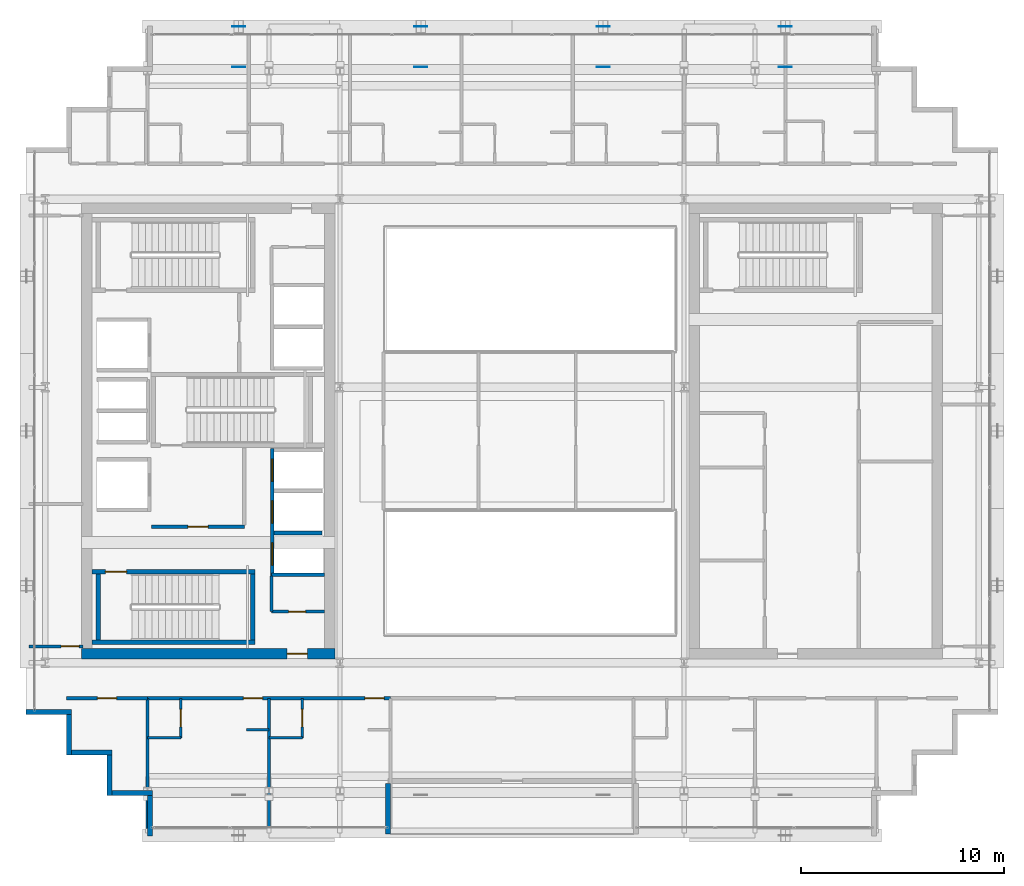
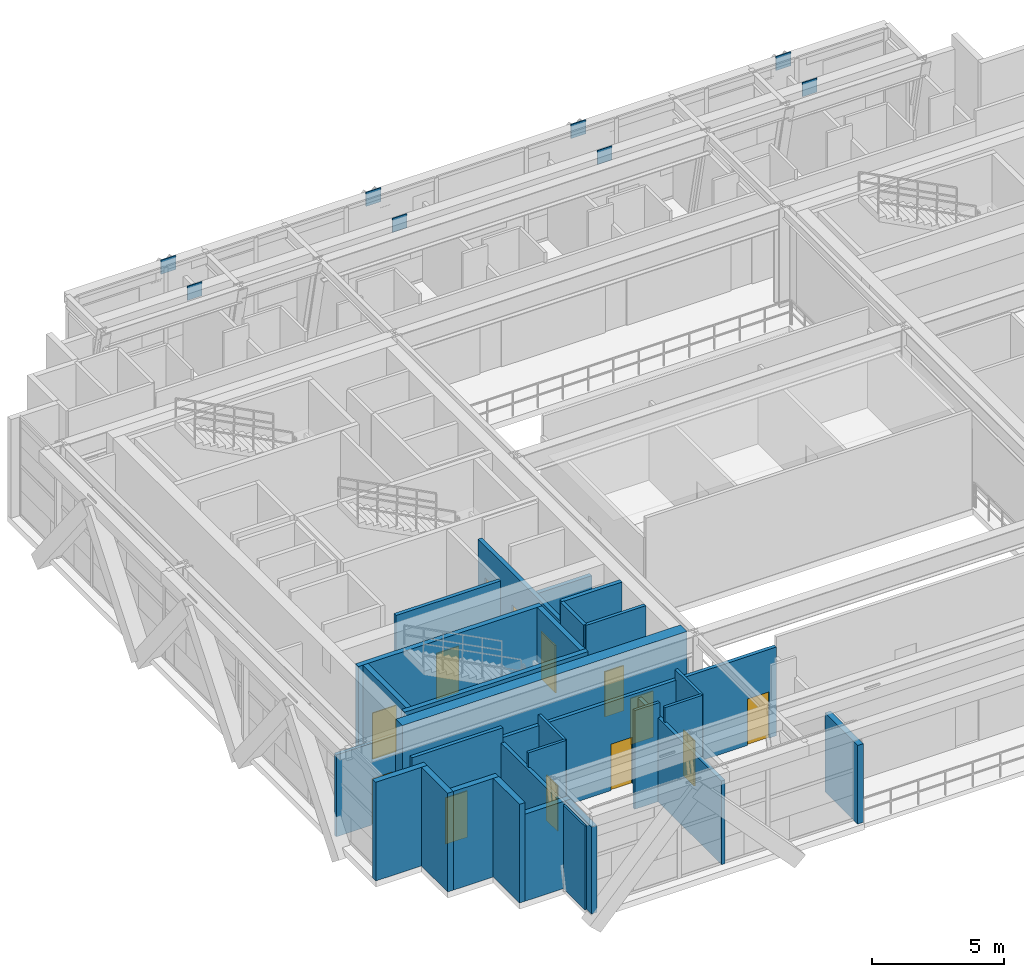
# One storey, part 23 of 31: 28 walls, 13 doors, 8 plates, 13 openings.
"""IFC4 building model written with IfcOpenShell, lengths in metres."""

from ifc_helpers import new_model, si_unit, direction, frame, frame_2d, origin, origin_2d, place, context, subcontext, project, spatial, rectangle, extrude, source, transform, mapped, material, layer, layer_set, type_object, element, fill, save


model = new_model("IFC4")

# Units and contexts
model_context = context("Model", 3, precision=1e-05, world=origin(), true_north=direction((0.0, 1.0)))
body_context = subcontext(model_context, "Body", "Model", "MODEL_VIEW")
ifc_project = project(units=[si_unit("LENGTHUNIT", "METRE"), si_unit("AREAUNIT", "SQUARE_METRE"), si_unit("VOLUMEUNIT", "CUBIC_METRE"), si_unit("PLANEANGLEUNIT", "RADIAN"), si_unit("MASSUNIT", "GRAM", prefix="KILO")], contexts=[model_context])

# Site, building, storey
site_placement = place(None, origin())
site = spatial("IfcSite", under=ifc_project, at=site_placement, CompositionType="ELEMENT")
building_placement = place(site_placement, origin())
building = spatial("IfcBuilding", under=site, at=building_placement, Name="Ocotamira Hotel", CompositionType="ELEMENT")
storey_placement = place(building_placement, frame((0.0, 0.0, 228.0)))
storey = spatial("IfcBuildingStorey", under=building, at=storey_placement, Name="L57", CompositionType="ELEMENT", Elevation=228.0)

# Plates
ifc_material_1 = material(Name="Pale-metal coated steel ASTM A572 Grade 50", Category="steel")
ifc_layer_1 = layer(ifc_material_1, 0.0400390625)
ifc_layer_set_1 = layer_set([ifc_layer_1], Name="Pale-metal coated steel ASTM A572 Grade 50")
plate_type = type_object("IfcPlateType", Name="PLT-GUSSET-40", PredefinedType="SHEET", material=ifc_layer_set_1)
shared_shape_1 = source(origin(), body_context, "Body", "SweptSolid", [
    extrude(rectangle(XDim=0.64990234375, YDim=0.0400390625, at=origin_2d()), origin(), (0.0, 0.0, 1.0), 0.64990234375),
])
for number, where, z_axis, x_axis, name in (
    (1, (18.5, 45.969970703125, 4.005126953125), (0.0, 0.0, 1.0), (1.0, 0.0, 0.0), "L57 Exoskeleton Diagrid N0.1 End Gusset B"),
    (2, (27.5, 45.969970703125, 4.005126953125), (0.0, 0.0, 1.0), (1.0, 0.0, 0.0), "L57 Exoskeleton Diagrid N1.1 End Gusset B"),
    (3, (36.5, 45.969970703125, 4.005126953125), (0.0, 0.0, 1.0), (1.0, 0.0, 0.0), "L57 Exoskeleton Diagrid N2.1 End Gusset B"),
    (4, (45.5, 45.969970703125, 4.005126953125), (0.0, 0.0, 1.0), (1.0, 0.0, 0.0), "L57 Exoskeleton Diagrid N3.1 End Gusset B"),
    (5, (18.5, 43.969970703125, 4.005126953125), (0.0, 0.0, 1.0), (-1.0, 0.0, 0.0), "L57 Exoskeleton Diagrid N0.1 End Gusset A"),
    (6, (27.5, 43.969970703125, 4.005126953125), (0.0, 0.0, 1.0), (-1.0, 0.0, 0.0), "L57 Exoskeleton Diagrid N1.1 End Gusset A"),
    (7, (36.5, 43.969970703125, 4.005126953125), (0.0, 0.0, 1.0), (-1.0, 0.0, 0.0), "L57 Exoskeleton Diagrid N2.1 End Gusset A"),
    (8, (45.5, 43.969970703125, 4.005126953125), (0.0, 0.0, 1.0), (-1.0, 0.0, 0.0), "L57 Exoskeleton Diagrid N3.1 End Gusset A"),
):
    element("IfcPlate", number, at=place(storey_placement, frame(where, z_axis=z_axis, x_axis=x_axis)), inside=storey, type_object=plate_type, Name=name, PredefinedType="SHEET", context=body_context, shape_type="MappedRepresentation", body=[
        mapped(shared_shape_1, transform((0.0, 0.0, 0.0), scale=1.0)),
    ])

# Wall, opening, door
ifc_material_2 = material(Name="Concrete C50/60", Category="concrete")
ifc_layer_2 = layer(ifc_material_2, 0.5)
ifc_layer_set_2 = layer_set([ifc_layer_2], Name="Concrete C50/60")
wall_type_1 = type_object("IfcWallType", Name="WL-CORE-500", PredefinedType="SHEAR", material=ifc_layer_set_2)
wall_1_placement = place(storey_placement, frame((10.75, 15.0, 0.0), z_axis=(0.0, 0.0, 1.0), x_axis=(1.0, 0.0, 0.0)))
wall_1 = element("IfcWall", 9, at=wall_1_placement, inside=storey, type_object=wall_type_1, Name="L57 Shear Core Wall WCORE-S", PredefinedType="SHEAR", context=body_context, shape_type="SweptSolid", body=[
    extrude(rectangle(XDim=12.5, YDim=0.5, at=frame_2d((6.25, 0.0))), origin(), (0.0, 0.0, 1.0), 4.580078125),
])
opening_1_placement = place(wall_1_placement, frame((10.14990234375, 0.0, 0.0)))
opening_1 = element("IfcOpeningElement", 10, at=opening_1_placement, cuts=wall_1, Name="Opening D-FR2", PredefinedType="OPENING", context=body_context, shape_type="SweptSolid", body=[
    extrude(rectangle(XDim=1.0, YDim=2.14990234375, at=frame_2d((0.5, 1.074951171875))), frame((0.0, 0.260009765625, 0.0), z_axis=(0.0, -1.0, 0.0), x_axis=(1.0, 0.0, 0.0)), (0.0, 0.0, 1.0), 0.52001953125),
])
ifc_material_3 = material(Name="Fire-rated acoustic timber-veneer door", Category="wood")
door_type_1 = type_object("IfcDoorType", Name="DR-FIRE-1000", OperationType="NOTDEFINED", PredefinedType="DOOR", material=ifc_material_3)
shared_shape_2 = source(origin(), body_context, "Body", "SweptSolid", [
    extrude(rectangle(XDim=1.0, YDim=2.14990234375, at=frame_2d((0.5, 1.074951171875))), frame((0.0, 0.02490234375, 0.0), z_axis=(0.0, -1.0, 0.0), x_axis=(1.0, 0.0, 0.0)), (0.0, 0.0, 1.0), 0.050048828125),
])
door_1_placement = place(opening_1_placement, origin())
door_1 = element("IfcDoor", 11, at=door_1_placement, inside=storey, type_object=door_type_1, Name="L57 Door ID-L57-WLOB-S-D [ID-L57-WLOB-S-D]", OperationType="SINGLE_SWING_LEFT", OverallHeight=2.14990234375, OverallWidth=1.0, PredefinedType="DOOR", context=body_context, shape_type="MappedRepresentation", body=[
    mapped(shared_shape_2, transform((0.0, 0.0, 0.0), scale=1.0)),
])
fill(opening_1, door_1)

# Walls
ifc_material_4 = material(Name="Precast concrete C45/55", Category="concrete")
ifc_layer_3 = layer(ifc_material_4, 0.25)
ifc_layer_set_3 = layer_set([ifc_layer_3], Name="Precast concrete C45/55")
wall_type_2 = type_object("IfcWallType", Name="WL-EXT-SER-250", PredefinedType="SOLIDWALL", material=ifc_layer_set_3)
wall_2_placement = place(storey_placement, frame((8.0, 12.125, 0.0), z_axis=(0.0, 0.0, 1.0), x_axis=(1.0, 0.0, 0.0)))
element("IfcWall", 12, at=wall_2_placement, inside=storey, type_object=wall_type_2, Name="L57 Serrated Corner Wall 19", PredefinedType="SOLIDWALL", context=body_context, shape_type="SweptSolid", body=[
    extrude(rectangle(XDim=2.25, YDim=0.25, at=frame_2d((1.125, 0.0))), origin(), (0.0, 0.0, 1.0), 4.580078125),
])
for number, where, z_axis, x_axis, name in (
    (13, (10.125, 12.0, 0.0), (0.0, 0.0, 1.0), (0.0, -1.0, 0.0), "L57 Serrated Corner Wall 20"),
    (14, (10.25, 10.125, 0.0), (0.0, 0.0, 1.0), (1.0, 0.0, 0.0), "L57 Serrated Corner Wall 21"),
    (15, (12.125, 10.0, 0.0), (0.0, 0.0, 1.0), (0.0, -1.0, 0.0), "L57 Serrated Corner Wall 22"),
):
    element("IfcWall", number, at=place(storey_placement, frame(where, z_axis=z_axis, x_axis=x_axis)), inside=storey, type_object=wall_type_2, Name=name, PredefinedType="SOLIDWALL", context=body_context, shape_type="SweptSolid", body=[
        extrude(rectangle(XDim=2.0, YDim=0.25, at=frame_2d((1.0, 0.0))), origin(), (0.0, 0.0, 1.0), 4.580078125),
    ])
for number, where, z_axis, x_axis, name in (
    (16, (12.25, 8.125, 0.0), (0.0, 0.0, 1.0), (1.0, 0.0, 0.0), "L57 Serrated Corner Wall 23"),
    (17, (14.125, 8.0, 0.0), (0.0, 0.0, 1.0), (0.0, -1.0, 0.0), "L57 Serrated Corner Wall 24"),
):
    element("IfcWall", number, at=place(storey_placement, frame(where, z_axis=z_axis, x_axis=x_axis)), inside=storey, type_object=wall_type_2, Name=name, PredefinedType="SOLIDWALL", context=body_context, shape_type="SweptSolid", body=[
        extrude(rectangle(XDim=2.0, YDim=0.25, at=frame_2d((1.0, 0.0))), origin(), (0.0, 0.0, 1.0), 4.04296875),
    ])
wall_3_placement = place(storey_placement, frame((25.875, 6.10009765625, 0.0), z_axis=(0.0, 0.0, 1.0), x_axis=(0.0, 1.0, 0.0)))
element("IfcWall", 18, at=wall_3_placement, inside=storey, type_object=wall_type_2, Name="L57 Sky Terrace Return Wall 1L", PredefinedType="SOLIDWALL", context=body_context, shape_type="SweptSolid", body=[
    extrude(rectangle(XDim=2.5, YDim=0.25, at=frame_2d((1.25, 0.0))), origin(), (0.0, 0.0, 1.0), 3.653076171875),
])

# Wall, opening, door
ifc_material_5 = material(Name="Acoustic double-layer fire gypsum board partition", Category="gypsum")
ifc_layer_4 = layer(ifc_material_5, 0.159912109375)
ifc_layer_set_4 = layer_set([ifc_layer_4], Name="Acoustic double-layer fire gypsum board partition")
wall_type_3 = type_object("IfcWallType", Name="WL-FIRE-160", PredefinedType="PARTITIONING", material=ifc_layer_set_4)
wall_4_placement = place(storey_placement, frame((14.199951171875, 21.27001953125, 0.0), z_axis=(0.0, 0.0, 1.0), x_axis=(1.0, 0.0, 0.0)))
wall_4 = element("IfcWall", 19, at=wall_4_placement, inside=storey, type_object=wall_type_3, Name="L57 Interior Wall PW-L57-FSAE1-S", PredefinedType="PARTITIONING", context=body_context, shape_type="SweptSolid", body=[
    extrude(rectangle(XDim=4.580078125, YDim=0.159912109375, at=frame_2d((2.2900390625, 0.0))), origin(), (0.0, 0.0, 1.0), 4.580078125),
])
opening_2_placement = place(wall_4_placement, frame((1.800048828125, 0.0, 0.0)))
opening_2 = element("IfcOpeningElement", 20, at=opening_2_placement, cuts=wall_4, Name="Opening D-FR2", PredefinedType="OPENING", context=body_context, shape_type="SweptSolid", body=[
    extrude(rectangle(XDim=1.0, YDim=2.14990234375, at=frame_2d((0.5, 1.074951171875))), frame((0.0, 0.08984375, 0.0), z_axis=(0.0, -1.0, 0.0), x_axis=(1.0, 0.0, 0.0)), (0.0, 0.0, 1.0), 0.179931640625),
])
door_2_placement = place(opening_2_placement, origin())
door_2 = element("IfcDoor", 21, at=door_2_placement, inside=storey, type_object=door_type_1, Name="L57 Door ID-L57-FSAE1-D [ID-L57-FSAE1-D]", OperationType="SINGLE_SWING_LEFT", OverallHeight=2.14990234375, OverallWidth=1.0, PredefinedType="DOOR", context=body_context, shape_type="MappedRepresentation", body=[
    mapped(shared_shape_2, transform((0.0, 0.0, 0.0), scale=1.0)),
])
fill(opening_2, door_2)

# Wall, openings, doors
wall_5_placement = place(storey_placement, frame((14.0, 12.800048828125, 0.0), z_axis=(0.0, 0.0, 1.0), x_axis=(1.0, 0.0, 0.0)))
wall_5 = element("IfcWall", 22, at=wall_5_placement, inside=storey, type_object=wall_type_3, Name="L57 Interior Wall PW-L57-L57SW-CORRW", PredefinedType="PARTITIONING", context=body_context, shape_type="SweptSolid", body=[
    extrude(rectangle(XDim=12.0, YDim=0.159912109375, at=frame_2d((6.0, 0.0))), origin(), (0.0, 0.0, 1.0), 4.123046875),
])
opening_3_placement = place(wall_5_placement, frame((4.739990234375, 0.0, 0.0)))
opening_3 = element("IfcOpeningElement", 23, at=opening_3_placement, cuts=wall_5, Name="Opening D-GR1", PredefinedType="OPENING", context=body_context, shape_type="SweptSolid", body=[
    extrude(rectangle(XDim=0.93994140625, YDim=2.14990234375, at=frame_2d((0.469970703125, 1.074951171875))), frame((0.0, 0.08984375, 0.0), z_axis=(0.0, -1.0, 0.0), x_axis=(1.0, 0.0, 0.0)), (0.0, 0.0, 1.0), 0.179931640625),
])
opening_4_placement = place(wall_5_placement, frame((10.739990234375, 0.0, 0.0)))
opening_4 = element("IfcOpeningElement", 24, at=opening_4_placement, cuts=wall_5, Name="Opening D-GR1", PredefinedType="OPENING", context=body_context, shape_type="SweptSolid", body=[
    extrude(rectangle(XDim=0.93994140625, YDim=2.14990234375, at=frame_2d((0.469970703125, 1.074951171875))), frame((0.0, 0.08984375, 0.0), z_axis=(0.0, -1.0, 0.0), x_axis=(1.0, 0.0, 0.0)), (0.0, 0.0, 1.0), 0.179931640625),
])
ifc_material_6 = material(Name="Solid-core walnut suite entrance fire door", Category="wood")
door_type_2 = type_object("IfcDoorType", Name="DR-GUEST-940", OperationType="NOTDEFINED", PredefinedType="DOOR", material=ifc_material_6)
shared_shape_3 = source(origin(), body_context, "Body", "SweptSolid", [
    extrude(rectangle(XDim=0.93994140625, YDim=2.14990234375, at=frame_2d((0.469970703125, 1.074951171875))), frame((0.0, 0.02490234375, 0.0), z_axis=(0.0, -1.0, 0.0), x_axis=(1.0, 0.0, 0.0)), (0.0, 0.0, 1.0), 0.050048828125),
])
door_3_placement = place(opening_3_placement, origin())
door_3 = element("IfcDoor", 25, at=door_3_placement, inside=storey, type_object=door_type_2, Name="L57 Door ID-L57-L57SW-RMD1 [ID-L57-L57SW-RMD1]", OperationType="SINGLE_SWING_LEFT", OverallHeight=2.14990234375, OverallWidth=0.93994140625, PredefinedType="DOOR", context=body_context, shape_type="MappedRepresentation", body=[
    mapped(shared_shape_3, transform((0.0, 0.0, 0.0), scale=1.0)),
])
fill(opening_3, door_3)
door_4_placement = place(opening_4_placement, origin())
door_4 = element("IfcDoor", 26, at=door_4_placement, inside=storey, type_object=door_type_2, Name="L57 Door ID-L57-L57SW-RMD2 [ID-L57-L57SW-RMD2]", OperationType="SINGLE_SWING_RIGHT", OverallHeight=2.14990234375, OverallWidth=0.93994140625, PredefinedType="DOOR", context=body_context, shape_type="MappedRepresentation", body=[
    mapped(shared_shape_3, transform((0.0, 0.0, 0.0), scale=1.0)),
])
fill(opening_4, door_4)

# Wall, opening, door
wall_6_placement = place(storey_placement, frame((10.0, 12.800048828125, 0.0), z_axis=(0.0, 0.0, 1.0), x_axis=(1.0, 0.0, 0.0)))
wall_6 = element("IfcWall", 27, at=wall_6_placement, inside=storey, type_object=wall_type_3, Name="L57 Interior Wall PW-L57-L57-CSW-CW", PredefinedType="PARTITIONING", context=body_context, shape_type="SweptSolid", body=[
    extrude(rectangle(XDim=4.0, YDim=0.159912109375, at=frame_2d((2.0, 0.0))), origin(), (0.0, 0.0, 1.0), 4.580078125),
])
opening_5_placement = place(wall_6_placement, frame((1.52001953125, 0.0, 0.0)))
opening_5 = element("IfcOpeningElement", 28, at=opening_5_placement, cuts=wall_6, Name="Opening D-SV4", PredefinedType="OPENING", context=body_context, shape_type="SweptSolid", body=[
    extrude(rectangle(XDim=0.9599609375, YDim=2.14990234375, at=frame_2d((0.47998046875, 1.074951171875))), frame((0.0, 0.08984375, 0.0), z_axis=(0.0, -1.0, 0.0), x_axis=(1.0, 0.0, 0.0)), (0.0, 0.0, 1.0), 0.179931640625),
])
ifc_material_7 = material(Name="Fire-rated accessible walnut salon door", Category="wood")
door_type_3 = type_object("IfcDoorType", Name="DR-SERV-960", OperationType="NOTDEFINED", PredefinedType="DOOR", material=ifc_material_7)
shared_shape_4 = source(origin(), body_context, "Body", "SweptSolid", [
    extrude(rectangle(XDim=0.9599609375, YDim=2.14990234375, at=frame_2d((0.47998046875, 1.074951171875))), frame((0.0, 0.02490234375, 0.0), z_axis=(0.0, -1.0, 0.0), x_axis=(1.0, 0.0, 0.0)), (0.0, 0.0, 1.0), 0.050048828125),
])
door_5_placement = place(opening_5_placement, origin())
door_5 = element("IfcDoor", 29, at=door_5_placement, inside=storey, type_object=door_type_3, Name="L57 Door ID-L57-L57-CSW-CD [ID-L57-L57-CSW-CD]", OperationType="SINGLE_SWING_LEFT", OverallHeight=2.14990234375, OverallWidth=0.9599609375, PredefinedType="DOOR", context=body_context, shape_type="MappedRepresentation", body=[
    mapped(shared_shape_4, transform((0.0, 0.0, 0.0), scale=1.0)),
])
fill(opening_5, door_5)

ifc_material_8 = material(Name="Moisture-resistant en-suite tile and gypsum partition", Category="gypsum")
ifc_layer_5 = layer(ifc_material_8, 0.1201171875)
ifc_layer_set_5 = layer_set([ifc_layer_5], Name="Moisture-resistant en-suite tile and gypsum partition")
wall_type_4 = type_object("IfcWallType", Name="WL-PART-120", PredefinedType="PARTITIONING", material=ifc_layer_set_5)
wall_7_placement = place(storey_placement, frame((15.64990234375, 10.85009765625, 0.0), z_axis=(0.0, 0.0, 1.0), x_axis=(0.0, 1.0, 0.0)))
wall_7 = element("IfcWall", 30, at=wall_7_placement, inside=storey, type_object=wall_type_4, Name="L57 Interior Wall PW-L57-L57SW-BAE1", PredefinedType="PARTITIONING", context=body_context, shape_type="SweptSolid", body=[
    extrude(rectangle(XDim=1.949951171875, YDim=0.1201171875, at=frame_2d((0.97509765625, 0.0))), origin(), (0.0, 0.0, 1.0), 4.580078125),
])
opening_6_placement = place(wall_7_placement, frame((0.544921875, 0.0, 0.0)))
opening_6 = element("IfcOpeningElement", 31, at=opening_6_placement, cuts=wall_7, Name="Opening D-BA1", PredefinedType="OPENING", context=body_context, shape_type="SweptSolid", body=[
    extrude(rectangle(XDim=0.860107421875, YDim=2.10009765625, at=frame_2d((0.43017578125, 1.050048828125))), frame((0.0, 0.070068359375, 0.0), z_axis=(0.0, -1.0, 0.0), x_axis=(1.0, 0.0, 0.0)), (0.0, 0.0, 1.0), 0.14013671875),
])
ifc_material_9 = material(Name="Moisture-sealed en-suite timber door", Category="wood")
door_type_4 = type_object("IfcDoorType", Name="DR-BATH-860", OperationType="NOTDEFINED", PredefinedType="DOOR", material=ifc_material_9)
shared_shape_5 = source(origin(), body_context, "Body", "SweptSolid", [
    extrude(rectangle(XDim=0.860107421875, YDim=2.10009765625, at=frame_2d((0.43017578125, 1.050048828125))), frame((0.0, 0.02490234375, 0.0), z_axis=(0.0, -1.0, 0.0), x_axis=(1.0, 0.0, 0.0)), (0.0, 0.0, 1.0), 0.050048828125),
])
door_6_placement = place(opening_6_placement, origin())
door_6 = element("IfcDoor", 32, at=door_6_placement, inside=storey, type_object=door_type_4, Name="L57 Door ID-L57-L57SW-BAD1 [ID-L57-L57SW-BAD1]", OperationType="SINGLE_SWING_RIGHT", OverallHeight=2.10009765625, OverallWidth=0.860107421875, PredefinedType="DOOR", context=body_context, shape_type="MappedRepresentation", body=[
    mapped(shared_shape_5, transform((0.0, 0.0, 0.0), scale=1.0)),
])
fill(opening_6, door_6)

# Walls
wall_8_placement = place(storey_placement, frame((14.0, 10.85009765625, 0.0), z_axis=(0.0, 0.0, 1.0), x_axis=(1.0, 0.0, 0.0)))
element("IfcWall", 33, at=wall_8_placement, inside=storey, type_object=wall_type_4, Name="L57 Interior Wall PW-L57-L57SW-BAS1", PredefinedType="PARTITIONING", context=body_context, shape_type="SweptSolid", body=[
    extrude(rectangle(XDim=1.64990234375, YDim=0.1201171875, at=frame_2d((0.824951171875, 0.0))), origin(), (0.0, 0.0, 1.0), 4.580078125),
])
wall_9_placement = place(storey_placement, frame((18.89990234375, 11.25, 0.0), z_axis=(0.0, 0.0, 1.0), x_axis=(1.0, 0.0, 0.0)))
element("IfcWall", 34, at=wall_9_placement, inside=storey, type_object=wall_type_4, Name="L57 Interior Wall PW-L57-L57SW-DRN1", PredefinedType="PARTITIONING", context=body_context, shape_type="SweptSolid", body=[
    extrude(rectangle(XDim=1.10009765625, YDim=0.1201171875, at=frame_2d((0.550048828125, 0.0))), origin(), (0.0, 0.0, 1.0), 4.580078125),
])

# Wall, opening, door
wall_10_placement = place(storey_placement, frame((21.64990234375, 10.85009765625, 0.0), z_axis=(0.0, 0.0, 1.0), x_axis=(0.0, 1.0, 0.0)))
wall_10 = element("IfcWall", 35, at=wall_10_placement, inside=storey, type_object=wall_type_4, Name="L57 Interior Wall PW-L57-L57SW-BAE2", PredefinedType="PARTITIONING", context=body_context, shape_type="SweptSolid", body=[
    extrude(rectangle(XDim=1.949951171875, YDim=0.1201171875, at=frame_2d((0.97509765625, 0.0))), origin(), (0.0, 0.0, 1.0), 4.580078125),
])
opening_7_placement = place(wall_10_placement, frame((0.544921875, 0.0, 0.0)))
opening_7 = element("IfcOpeningElement", 36, at=opening_7_placement, cuts=wall_10, Name="Opening D-BA1", PredefinedType="OPENING", context=body_context, shape_type="SweptSolid", body=[
    extrude(rectangle(XDim=0.860107421875, YDim=2.10009765625, at=frame_2d((0.43017578125, 1.050048828125))), frame((0.0, 0.070068359375, 0.0), z_axis=(0.0, -1.0, 0.0), x_axis=(1.0, 0.0, 0.0)), (0.0, 0.0, 1.0), 0.14013671875),
])
door_7_placement = place(opening_7_placement, origin())
door_7 = element("IfcDoor", 37, at=door_7_placement, inside=storey, type_object=door_type_4, Name="L57 Door ID-L57-L57SW-BAD2 [ID-L57-L57SW-BAD2]", OperationType="SINGLE_SWING_LEFT", OverallHeight=2.10009765625, OverallWidth=0.860107421875, PredefinedType="DOOR", context=body_context, shape_type="MappedRepresentation", body=[
    mapped(shared_shape_5, transform((0.0, 0.0, 0.0), scale=1.0)),
])
fill(opening_7, door_7)

# Walls
wall_11_placement = place(storey_placement, frame((20.0, 10.85009765625, 0.0), z_axis=(0.0, 0.0, 1.0), x_axis=(1.0, 0.0, 0.0)))
element("IfcWall", 38, at=wall_11_placement, inside=storey, type_object=wall_type_4, Name="L57 Interior Wall PW-L57-L57SW-BAS2", PredefinedType="PARTITIONING", context=body_context, shape_type="SweptSolid", body=[
    extrude(rectangle(XDim=1.64990234375, YDim=0.1201171875, at=frame_2d((0.824951171875, 0.0))), origin(), (0.0, 0.0, 1.0), 4.580078125),
])
ifc_material_10 = material(Name="Acoustic hospitality gypsum board partition", Category="gypsum")
ifc_layer_6 = layer(ifc_material_10, 0.14208984375)
ifc_layer_set_6 = layer_set([ifc_layer_6], Name="Acoustic hospitality gypsum board partition")
wall_type_5 = type_object("IfcWallType", Name="WL-PART-142", PredefinedType="PARTITIONING", material=ifc_layer_set_6)
wall_12_placement = place(storey_placement, frame((20.1201171875, 17.080078125, 0.0), z_axis=(0.0, 0.0, 1.0), x_axis=(0.0, 1.0, 0.0)))
element("IfcWall", 39, at=wall_12_placement, inside=storey, type_object=wall_type_5, Name="L57 Interior Wall PW-L57-WC-SE-W2", PredefinedType="PARTITIONING", context=body_context, shape_type="SweptSolid", body=[
    extrude(rectangle(XDim=1.760009765625, YDim=0.14208984375, at=frame_2d((0.8798828125, 0.0))), origin(), (0.0, 0.0, 1.0), 4.580078125),
])

# Wall, opening, door
wall_13_placement = place(storey_placement, frame((20.1201171875, 17.080078125, 0.0), z_axis=(0.0, 0.0, 1.0), x_axis=(1.0, 0.0, 0.0)))
wall_13 = element("IfcWall", 40, at=wall_13_placement, inside=storey, type_object=wall_type_5, Name="L57 Interior Wall PW-L57-WC-SE-S2", PredefinedType="PARTITIONING", context=body_context, shape_type="SweptSolid", body=[
    extrude(rectangle(XDim=2.6298828125, YDim=0.14208984375, at=frame_2d((1.31494140625, 0.0))), origin(), (0.0, 0.0, 1.0), 4.580078125),
])
opening_8_placement = place(wall_13_placement, frame((0.85009765625, 0.0, 0.0)))
opening_8 = element("IfcOpeningElement", 41, at=opening_8_placement, cuts=wall_13, Name="Opening D-SV1", PredefinedType="OPENING", context=body_context, shape_type="SweptSolid", body=[
    extrude(rectangle(XDim=0.840087890625, YDim=2.10009765625, at=frame_2d((0.419921875, 1.050048828125))), frame((0.0, 0.0810546875, 0.0), z_axis=(0.0, -1.0, 0.0), x_axis=(1.0, 0.0, 0.0)), (0.0, 0.0, 1.0), 0.162109375),
])
ifc_material_11 = material(Name="Fire-rated painted steel service door", Category="steel")
door_type_5 = type_object("IfcDoorType", Name="DR-SERV-840", OperationType="NOTDEFINED", PredefinedType="DOOR", material=ifc_material_11)
shared_shape_6 = source(origin(), body_context, "Body", "SweptSolid", [
    extrude(rectangle(XDim=0.840087890625, YDim=2.10009765625, at=frame_2d((0.419921875, 1.050048828125))), frame((0.0, 0.02490234375, 0.0), z_axis=(0.0, -1.0, 0.0), x_axis=(1.0, 0.0, 0.0)), (0.0, 0.0, 1.0), 0.050048828125),
])
door_8_placement = place(opening_8_placement, origin())
door_8 = element("IfcDoor", 42, at=door_8_placement, inside=storey, type_object=door_type_5, Name="L57 Door ID-L57-WC-SE-D2 [ID-L57-WC-SE-D2]", OperationType="SINGLE_SWING_LEFT", OverallHeight=2.10009765625, OverallWidth=0.840087890625, PredefinedType="DOOR", context=body_context, shape_type="MappedRepresentation", body=[
    mapped(shared_shape_6, transform((0.0, 0.0, 0.0), scale=1.0)),
])
fill(opening_8, door_8)

ifc_layer_7 = layer(ifc_material_10, 0.14990234375)
ifc_layer_set_7 = layer_set([ifc_layer_7], Name="Acoustic hospitality gypsum board partition")
wall_type_6 = type_object("IfcWallType", Name="WL-PART-150", PredefinedType="PARTITIONING", material=ifc_layer_set_7)
wall_14_placement = place(storey_placement, frame((8.159912109375, 15.360107421875, 0.0), z_axis=(0.0, 0.0, 1.0), x_axis=(1.0, 0.0, 0.0)))
wall_14 = element("IfcWall", 43, at=wall_14_placement, inside=storey, type_object=wall_type_6, Name="L57 Interior Wall PW-L57-L57W-WS", PredefinedType="PARTITIONING", context=body_context, shape_type="SweptSolid", body=[
    extrude(rectangle(XDim=2.66015625, YDim=0.14990234375, at=frame_2d((1.330078125, 0.0))), origin(), (0.0, 0.0, 1.0), 3.801025390625),
])
opening_9_placement = place(wall_14_placement, frame((1.580078125, 0.0, 0.0)))
opening_9 = element("IfcOpeningElement", 44, at=opening_9_placement, cuts=wall_14, Name="Opening D-SV2", PredefinedType="OPENING", context=body_context, shape_type="SweptSolid", body=[
    extrude(rectangle(XDim=0.8798828125, YDim=2.14990234375, at=frame_2d((0.43994140625, 1.074951171875))), frame((0.0, 0.0849609375, 0.0), z_axis=(0.0, -1.0, 0.0), x_axis=(1.0, 0.0, 0.0)), (0.0, 0.0, 1.0), 0.169921875),
])
door_type_6 = type_object("IfcDoorType", Name="DR-SERV-880", OperationType="NOTDEFINED", PredefinedType="DOOR", material=ifc_material_11)
shared_shape_7 = source(origin(), body_context, "Body", "SweptSolid", [
    extrude(rectangle(XDim=0.8798828125, YDim=2.14990234375, at=frame_2d((0.43994140625, 1.074951171875))), frame((0.0, 0.02490234375, 0.0), z_axis=(0.0, -1.0, 0.0), x_axis=(1.0, 0.0, 0.0)), (0.0, 0.0, 1.0), 0.050048828125),
])
door_9_placement = place(opening_9_placement, origin())
door_9 = element("IfcDoor", 45, at=door_9_placement, inside=storey, type_object=door_type_6, Name="L57 Door ID-L57-L57W-DS [ID-L57-L57W-DS]", OperationType="SINGLE_SWING_LEFT", OverallHeight=2.14990234375, OverallWidth=0.8798828125, PredefinedType="DOOR", context=body_context, shape_type="MappedRepresentation", body=[
    mapped(shared_shape_7, transform((0.0, 0.0, 0.0), scale=1.0)),
])
fill(opening_9, door_9)

# Walls
ifc_material_12 = material(Name="Acoustic double-stud hospitality gypsum partition", Category="gypsum")
ifc_layer_8 = layer(ifc_material_12, 0.159912109375)
ifc_layer_set_8 = layer_set([ifc_layer_8], Name="Acoustic double-stud hospitality gypsum partition")
wall_type_7 = type_object("IfcWallType", Name="WL-PART-160", PredefinedType="PARTITIONING", material=ifc_layer_set_8)
for number, where, z_axis, x_axis, name in (
    (46, (14.0, 6.360107421875, 0.0), (0.0, 0.0, 1.0), (0.0, 1.0, 0.0), "L57 Interior Wall PW-L57-L57SW-PW0"),
    (47, (20.0, 6.360107421875, 0.0), (0.0, 0.0, 1.0), (0.0, 1.0, 0.0), "L57 Interior Wall PW-L57-L57SW-PW1"),
):
    element("IfcWall", number, at=place(storey_placement, frame(where, z_axis=z_axis, x_axis=x_axis)), inside=storey, type_object=wall_type_7, Name=name, PredefinedType="PARTITIONING", context=body_context, shape_type="SweptSolid", body=[
        extrude(rectangle(XDim=6.43994140625, YDim=0.159912109375, at=frame_2d((3.219970703125, 0.0))), origin(), (0.0, 0.0, 1.0), 3.886962890625),
    ])

# Wall, openings, doors
ifc_material_13 = material(Name="Fire-rated gypsum shaftliner board assembly", Category="gypsum")
ifc_layer_9 = layer(ifc_material_13, 0.179931640625)
ifc_layer_set_9 = layer_set([ifc_layer_9], Name="Fire-rated gypsum shaftliner board assembly")
wall_type_8 = type_object("IfcWallType", Name="WL-SHAFT-180", PredefinedType="SOLIDWALL", material=ifc_layer_set_9)
wall_15_placement = place(storey_placement, frame((20.159912109375, 18.820068359375, 0.0), z_axis=(0.0, 0.0, 1.0), x_axis=(0.0, 1.0, 0.0)))
wall_15 = element("IfcWall", 48, at=wall_15_placement, inside=storey, type_object=wall_type_8, Name="L57 Interior Wall PW-L57-LFW-BANK-high-F", PredefinedType="SOLIDWALL", context=body_context, shape_type="SweptSolid", body=[
    extrude(rectangle(XDim=6.31982421875, YDim=0.179931640625, at=frame_2d((3.159912109375, 0.0))), origin(), (0.0, 0.0, 1.0), 3.679931640625),
])
opening_10_placement = place(wall_15_placement, frame((0.554931640625, 0.0, 0.0)))
opening_10 = element("IfcOpeningElement", 49, at=opening_10_placement, cuts=wall_15, Name="Opening LD-LF-P7", PredefinedType="OPENING", context=body_context, shape_type="SweptSolid", body=[
    extrude(rectangle(XDim=1.10009765625, YDim=2.199951171875, at=frame_2d((0.550048828125, 1.10009765625))), frame((0.0, 0.10009765625, 0.0), z_axis=(0.0, -1.0, 0.0), x_axis=(1.0, 0.0, 0.0)), (0.0, 0.0, 1.0), 0.199951171875),
])
opening_11_placement = place(wall_15_placement, frame((2.635009765625, 0.0, 0.0)))
opening_11 = element("IfcOpeningElement", 50, at=opening_11_placement, cuts=wall_15, Name="Opening LD-LF-P8", PredefinedType="OPENING", context=body_context, shape_type="SweptSolid", body=[
    extrude(rectangle(XDim=1.10009765625, YDim=2.199951171875, at=frame_2d((0.550048828125, 1.10009765625))), frame((0.0, 0.10009765625, 0.0), z_axis=(0.0, -1.0, 0.0), x_axis=(1.0, 0.0, 0.0)), (0.0, 0.0, 1.0), 0.199951171875),
])
opening_12_placement = place(wall_15_placement, frame((4.68994140625, 0.0, 0.0)))
opening_12 = element("IfcOpeningElement", 51, at=opening_12_placement, cuts=wall_15, Name="Opening LD-LF-P9", PredefinedType="OPENING", context=body_context, shape_type="SweptSolid", body=[
    extrude(rectangle(XDim=1.10009765625, YDim=2.199951171875, at=frame_2d((0.550048828125, 1.10009765625))), frame((0.0, 0.10009765625, 0.0), z_axis=(0.0, -1.0, 0.0), x_axis=(1.0, 0.0, 0.0)), (0.0, 0.0, 1.0), 0.199951171875),
])
ifc_material_14 = material(Name="Brushed pale-metal stainless elevator landing door", Category="steel")
door_type_7 = type_object("IfcDoorType", Name="DR-LIFT-1100", OperationType="NOTDEFINED", PredefinedType="DOOR", material=ifc_material_14)
shared_shape_8 = source(origin(), body_context, "Body", "SweptSolid", [
    extrude(rectangle(XDim=1.10009765625, YDim=2.199951171875, at=frame_2d((0.550048828125, 1.10009765625))), frame((0.0, 0.02490234375, 0.0), z_axis=(0.0, -1.0, 0.0), x_axis=(1.0, 0.0, 0.0)), (0.0, 0.0, 1.0), 0.050048828125),
])
door_10_placement = place(opening_10_placement, origin())
door_10 = element("IfcDoor", 52, at=door_10_placement, inside=storey, type_object=door_type_7, Name="L57 Landing Door LD-LF-P7 [ID-L57-LD-LF-P7]", OperationType="DOUBLE_DOOR_SLIDING", OverallHeight=2.199951171875, OverallWidth=1.10009765625, PredefinedType="DOOR", context=body_context, shape_type="MappedRepresentation", body=[
    mapped(shared_shape_8, transform((0.0, 0.0, 0.0), scale=1.0)),
])
fill(opening_10, door_10)
door_11_placement = place(opening_11_placement, origin())
door_11 = element("IfcDoor", 53, at=door_11_placement, inside=storey, type_object=door_type_7, Name="L57 Landing Door LD-LF-P8 [ID-L57-LD-LF-P8]", OperationType="DOUBLE_DOOR_SLIDING", OverallHeight=2.199951171875, OverallWidth=1.10009765625, PredefinedType="DOOR", context=body_context, shape_type="MappedRepresentation", body=[
    mapped(shared_shape_8, transform((0.0, 0.0, 0.0), scale=1.0)),
])
fill(opening_11, door_11)
door_12_placement = place(opening_12_placement, origin())
door_12 = element("IfcDoor", 54, at=door_12_placement, inside=storey, type_object=door_type_7, Name="L57 Landing Door LD-LF-P9 [ID-L57-LD-LF-P9]", OperationType="DOUBLE_DOOR_SLIDING", OverallHeight=2.199951171875, OverallWidth=1.10009765625, PredefinedType="DOOR", context=body_context, shape_type="MappedRepresentation", body=[
    mapped(shared_shape_8, transform((0.0, 0.0, 0.0), scale=1.0)),
])
fill(opening_12, door_12)

# Walls
wall_16_placement = place(storey_placement, frame((20.1201171875, 18.909912109375, 0.0), z_axis=(0.0, 0.0, 1.0), x_axis=(1.0, 0.0, 0.0)))
element("IfcWall", 55, at=wall_16_placement, inside=storey, type_object=wall_type_8, Name="L57 Interior Wall PW-L57-LFW-BANK-high-S", PredefinedType="SOLIDWALL", context=body_context, shape_type="SweptSolid", body=[
    extrude(rectangle(XDim=2.6298828125, YDim=0.179931640625, at=frame_2d((1.31494140625, 0.0))), origin(), (0.0, 0.0, 1.0), 4.580078125),
])
wall_17_placement = place(storey_placement, frame((20.25, 20.965087890625, 0.0), z_axis=(0.0, 0.0, 1.0), x_axis=(1.0, 0.0, 0.0)))
element("IfcWall", 56, at=wall_17_placement, inside=storey, type_object=wall_type_8, Name="L57 Interior Wall PW-L57-LFW-DIV-LF-P7", PredefinedType="SOLIDWALL", context=body_context, shape_type="SweptSolid", body=[
    extrude(rectangle(XDim=2.360107421875, YDim=0.179931640625, at=frame_2d((1.18017578125, 0.0))), origin(), (0.0, 0.0, 1.0), 3.679931640625),
])
ifc_layer_10 = layer(ifc_material_2, 0.219970703125)
ifc_layer_set_10 = layer_set([ifc_layer_10], Name="Concrete C50/60")
wall_type_9 = type_object("IfcWallType", Name="WL-STAIR-220", PredefinedType="SHEAR", material=ifc_layer_set_10)
wall_18_placement = place(storey_placement, frame((11.25, 15.56005859375, 0.0), z_axis=(0.0, 0.0, 1.0), x_axis=(1.0, 0.0, 0.0)))
element("IfcWall", 57, at=wall_18_placement, inside=storey, type_object=wall_type_9, Name="L57 Stair Shaft Structural Wall ST-1-S", PredefinedType="SHEAR", context=body_context, shape_type="SweptSolid", body=[
    extrude(rectangle(XDim=8.06005859375, YDim=0.219970703125, at=frame_2d((4.030029296875, 0.0))), origin(), (0.0, 0.0, 1.0), 4.60009765625),
])

# Wall, opening, door
wall_19_placement = place(storey_placement, frame((11.25, 19.06005859375, 0.0), z_axis=(0.0, 0.0, 1.0), x_axis=(1.0, 0.0, 0.0)))
wall_19 = element("IfcWall", 58, at=wall_19_placement, inside=storey, type_object=wall_type_9, Name="L57 Stair Shaft Structural Wall ST-1-N", PredefinedType="SHEAR", context=body_context, shape_type="SweptSolid", body=[
    extrude(rectangle(XDim=8.06005859375, YDim=0.219970703125, at=frame_2d((4.030029296875, 0.0))), origin(), (0.0, 0.0, 1.0), 4.60009765625),
])
opening_13_placement = place(wall_19_placement, frame((0.669921875, 0.0, 0.0)))
opening_13 = element("IfcOpeningElement", 59, at=opening_13_placement, cuts=wall_19, Name="Opening D-ST2", PredefinedType="OPENING", context=body_context, shape_type="SweptSolid", body=[
    extrude(rectangle(XDim=1.050048828125, YDim=2.14990234375, at=frame_2d((0.52490234375, 1.074951171875))), frame((0.0, 0.1201171875, 0.0), z_axis=(0.0, -1.0, 0.0), x_axis=(1.0, 0.0, 0.0)), (0.0, 0.0, 1.0), 0.239990234375),
])
ifc_material_15 = material(Name="Insulated painted hollow-metal fire exit door", Category="steel")
door_type_8 = type_object("IfcDoorType", Name="DR-STAIR-1050", OperationType="NOTDEFINED", PredefinedType="DOOR", material=ifc_material_15)
shared_shape_9 = source(origin(), body_context, "Body", "SweptSolid", [
    extrude(rectangle(XDim=1.050048828125, YDim=2.14990234375, at=frame_2d((0.52490234375, 1.074951171875))), frame((0.0, 0.02490234375, 0.0), z_axis=(0.0, -1.0, 0.0), x_axis=(1.0, 0.0, 0.0)), (0.0, 0.0, 1.0), 0.050048828125),
])
door_13_placement = place(opening_13_placement, origin())
door_13 = element("IfcDoor", 60, at=door_13_placement, inside=storey, type_object=door_type_8, Name="L57 Door ID-L57-STD-ST-1 [ID-L57-STD-ST-1]", OperationType="SINGLE_SWING_RIGHT", OverallHeight=2.14990234375, OverallWidth=1.050048828125, PredefinedType="DOOR", context=body_context, shape_type="MappedRepresentation", body=[
    mapped(shared_shape_9, transform((0.0, 0.0, 0.0), scale=1.0)),
])
fill(opening_13, door_13)

# Walls
for number, where, z_axis, x_axis, name in (
    (61, (11.56005859375, 15.669921875, 0.0), (0.0, 0.0, 1.0), (0.0, 1.0, 0.0), "L57 Stair Shaft Structural Wall ST-1-W"),
    (62, (19.199951171875, 15.669921875, 0.0), (0.0, 0.0, 1.0), (0.0, 1.0, 0.0), "L57 Stair Shaft Structural Wall ST-1-E"),
):
    element("IfcWall", number, at=place(storey_placement, frame(where, z_axis=z_axis, x_axis=x_axis)), inside=storey, type_object=wall_type_9, Name=name, PredefinedType="SHEAR", context=body_context, shape_type="SweptSolid", body=[
        extrude(rectangle(XDim=3.280029296875, YDim=0.219970703125, at=frame_2d((1.64013671875, 0.0))), origin(), (0.0, 0.0, 1.0), 4.60009765625),
    ])

save(model, "model.ifc")
